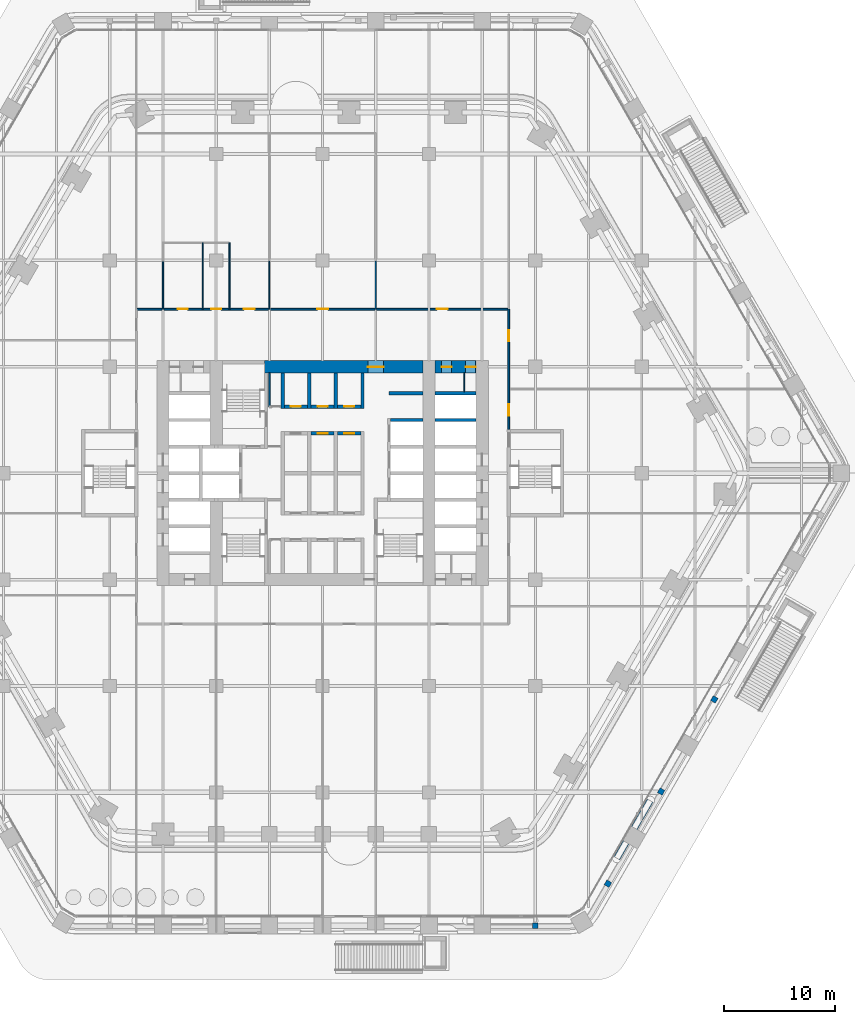
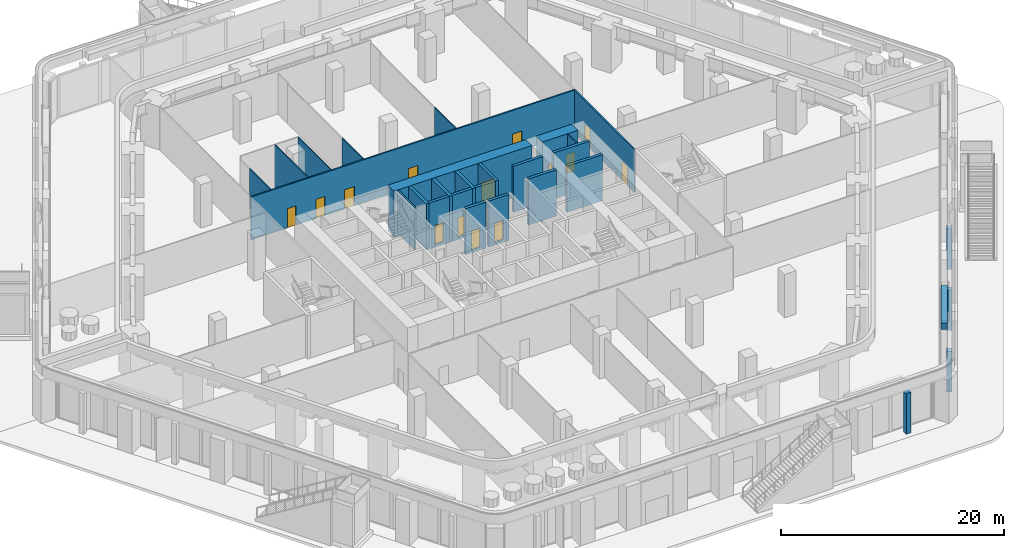
# One storey, part 22 of 34: 29 walls, 15 doors, 15 openings.
"""IFC4 building model written with IfcOpenShell, lengths in metres."""

from ifc_helpers import new_model, si_unit, direction, frame, frame_2d, origin, place, context, subcontext, project, spatial, rectangle, extrude, material, layer, layer_set, type_object, element, fill, save


model = new_model("IFC4")

# Units and contexts
model_context = context("Model", 3, precision=1e-05, world=origin(), true_north=direction((0.0, 1.0)))
body_context = subcontext(model_context, "Body", "Model", "MODEL_VIEW")
ifc_project = project(units=[si_unit("LENGTHUNIT", "METRE"), si_unit("AREAUNIT", "SQUARE_METRE"), si_unit("VOLUMEUNIT", "CUBIC_METRE"), si_unit("PLANEANGLEUNIT", "RADIAN"), si_unit("MASSUNIT", "GRAM", prefix="KILO")], contexts=[model_context])

# Site, building, storey
site_placement = place(None, origin())
site = spatial("IfcSite", under=ifc_project, at=site_placement, CompositionType="ELEMENT")
building_placement = place(site_placement, origin())
building = spatial("IfcBuilding", under=site, at=building_placement, Name="Kolab Exchange Tower", CompositionType="ELEMENT")
storey_placement = place(building_placement, frame((0.0, 0.0, 12.39990234375)))
storey = spatial("IfcBuildingStorey", under=building, at=storey_placement, Name="L02", CompositionType="ELEMENT", Elevation=12.39990234375)

# Wall, opening, door
ifc_material_1 = material(Name="Concrete C80/95", Category="concrete")
ifc_layer_1 = layer(ifc_material_1, 1.10009765625)
ifc_layer_set_1 = layer_set([ifc_layer_1], Name="Concrete C80/95")
wall_type_1 = type_object("IfcWallType", Name="CORE WALL 1100 C80/95", PredefinedType="SHEAR", material=ifc_layer_set_1)
wall_1_placement = place(storey_placement, frame((-5.25, 9.60009765625, -0.2998046875), z_axis=(0.0, 0.0, 1.0), x_axis=(1.0, 0.0, 0.0)))
wall_1 = element("IfcWall", 1, at=wall_1_placement, inside=storey, type_object=wall_type_1, Name="wall/L02/core/052", PredefinedType="SHEAR", context=body_context, shape_type="SweptSolid", body=[
    extrude(rectangle(XDim=14.300048828125, YDim=1.10009765625, at=frame_2d((7.14990234375, 0.0))), origin(), (0.0, 0.0, 1.0), 5.0498046875),
])
opening_1_placement = place(wall_1_placement, frame((9.35009765625, 0.0, 0.300048828125)))
opening_1 = element("IfcOpeningElement", 2, at=opening_1_placement, cuts=wall_1, Name="Opening D5-003", PredefinedType="OPENING", context=body_context, shape_type="SweptSolid", body=[
    extrude(rectangle(XDim=1.39990234375, YDim=2.10009765625, at=frame_2d((0.699951171875, 1.050048828125))), frame((0.0, 0.56005859375, 0.0), z_axis=(0.0, -1.0, 0.0), x_axis=(1.0, 0.0, 0.0)), (0.0, 0.0, 1.0), 1.1201171875),
])
ifc_material_2 = material(Name="Steel S235", Category="steel")
door_type_1 = type_object("IfcDoorType", Name="CORE DOOR 1400 EI 120", OperationType="DOUBLE_DOOR_SINGLE_SWING", PredefinedType="DOOR", material=ifc_material_2)
door_1_placement = place(opening_1_placement, frame((1.39990234375, 0.0, 0.0), z_axis=(0.0, 0.0, 1.0), x_axis=(-1.0, 0.0, 0.0)))
door_1 = element("IfcDoor", 3, at=door_1_placement, inside=storey, type_object=door_type_1, Name="Core lobby door", OperationType="SINGLE_SWING_LEFT", OverallHeight=2.10009765625, OverallWidth=1.39990234375, PredefinedType="DOOR", context=body_context, shape_type="SweptSolid", body=[
    extrude(rectangle(XDim=1.39990234375, YDim=2.10009765625, at=frame_2d((0.699951171875, 1.050048828125))), frame((0.0, 0.02490234375, 0.0), z_axis=(0.0, -1.0, 0.0), x_axis=(1.0, 0.0, 0.0)), (0.0, 0.0, 1.0), 0.050048828125),
])
fill(opening_1, door_1)

# Wall, openings, doors
wall_2_placement = place(storey_placement, frame((10.14990234375, 9.60009765625, -0.2998046875), z_axis=(0.0, 0.0, 1.0), x_axis=(1.0, 0.0, 0.0)))
wall_2 = element("IfcWall", 4, at=wall_2_placement, inside=storey, type_object=wall_type_1, Name="wall/L02/core/053", PredefinedType="SHEAR", context=body_context, shape_type="SweptSolid", body=[
    extrude(rectangle(XDim=3.7001953125, YDim=1.10009765625, at=frame_2d((1.85009765625, 0.0))), origin(), (0.0, 0.0, 1.0), 5.0498046875),
])
opening_2_placement = place(wall_2_placement, frame((0.60009765625, 0.0, 0.300048828125)))
opening_2 = element("IfcOpeningElement", 5, at=opening_2_placement, cuts=wall_2, Name="Opening D6-062", PredefinedType="OPENING", context=body_context, shape_type="SweptSolid", body=[
    extrude(rectangle(XDim=0.89990234375, YDim=2.10009765625, at=frame_2d((0.449951171875, 1.050048828125))), frame((0.0, 0.56005859375, 0.0), z_axis=(0.0, -1.0, 0.0), x_axis=(1.0, 0.0, 0.0)), (0.0, 0.0, 1.0), 1.1201171875),
])
opening_3_placement = place(wall_2_placement, frame((2.75, 0.0, 0.300048828125)))
opening_3 = element("IfcOpeningElement", 6, at=opening_3_placement, cuts=wall_2, Name="Opening D6-063", PredefinedType="OPENING", context=body_context, shape_type="SweptSolid", body=[
    extrude(rectangle(XDim=0.89990234375, YDim=2.10009765625, at=frame_2d((0.449951171875, 1.050048828125))), frame((0.0, 0.56005859375, 0.0), z_axis=(0.0, -1.0, 0.0), x_axis=(1.0, 0.0, 0.0)), (0.0, 0.0, 1.0), 1.1201171875),
])
door_type_2 = type_object("IfcDoorType", Name="CORE DOOR 900 EI 120", OperationType="SINGLE_SWING_LEFT", PredefinedType="DOOR", material=ifc_material_2)
door_2_placement = place(opening_2_placement, frame((0.89990234375, 0.0, 0.0), z_axis=(0.0, 0.0, 1.0), x_axis=(-1.0, 0.0, 0.0)))
door_2 = element("IfcDoor", 7, at=door_2_placement, inside=storey, type_object=door_type_2, Name="Service room door", OperationType="SINGLE_SWING_RIGHT", OverallHeight=2.10009765625, OverallWidth=0.89990234375, PredefinedType="DOOR", context=body_context, shape_type="SweptSolid", body=[
    extrude(rectangle(XDim=0.89990234375, YDim=2.10009765625, at=frame_2d((0.449951171875, 1.050048828125))), frame((0.0, 0.02490234375, 0.0), z_axis=(0.0, -1.0, 0.0), x_axis=(1.0, 0.0, 0.0)), (0.0, 0.0, 1.0), 0.050048828125),
])
fill(opening_2, door_2)
door_3_placement = place(opening_3_placement, frame((0.89990234375, 0.0, 0.0), z_axis=(0.0, 0.0, 1.0), x_axis=(-1.0, 0.0, 0.0)))
door_3 = element("IfcDoor", 8, at=door_3_placement, inside=storey, type_object=door_type_2, Name="Service room door", OperationType="SINGLE_SWING_LEFT", OverallHeight=2.10009765625, OverallWidth=0.89990234375, PredefinedType="DOOR", context=body_context, shape_type="SweptSolid", body=[
    extrude(rectangle(XDim=0.89990234375, YDim=2.10009765625, at=frame_2d((0.449951171875, 1.050048828125))), frame((0.0, 0.02490234375, 0.0), z_axis=(0.0, -1.0, 0.0), x_axis=(1.0, 0.0, 0.0)), (0.0, 0.0, 1.0), 0.050048828125),
])
fill(opening_3, door_3)

# Wall, opening, door
ifc_material_3 = material(Name="Concrete C50/60", Category="concrete")
ifc_layer_2 = layer(ifc_material_3, 0.300048828125)
ifc_layer_set_2 = layer_set([ifc_layer_2], Name="Concrete C50/60")
wall_type_2 = type_object("IfcWallType", Name="LIFT SHAFT WALL 300 C50/60", PredefinedType="STANDARD", material=ifc_layer_set_2)
wall_3_placement = place(storey_placement, frame((-1.050048828125, 3.60009765625, -0.2998046875), z_axis=(0.0, 0.0, 1.0), x_axis=(1.0, 0.0, 0.0)))
wall_3 = element("IfcWall", 9, at=wall_3_placement, inside=storey, type_object=wall_type_2, Name="wall/L02/core/038", PredefinedType="STANDARD", context=body_context, shape_type="SweptSolid", body=[
    extrude(rectangle(XDim=2.10009765625, YDim=0.300048828125, at=frame_2d((1.050048828125, 0.0))), origin(), (0.0, 0.0, 1.0), 5.0498046875),
])
opening_4_placement = place(wall_3_placement, frame((0.60009765625, 0.0, 0.300048828125)))
opening_4 = element("IfcOpeningElement", 10, at=opening_4_placement, cuts=wall_3, Name="Opening D6-047", PredefinedType="OPENING", context=body_context, shape_type="SweptSolid", body=[
    extrude(rectangle(XDim=0.89990234375, YDim=2.10009765625, at=frame_2d((0.449951171875, 1.050048828125))), frame((0.0, 0.16015625, 0.0), z_axis=(0.0, -1.0, 0.0), x_axis=(1.0, 0.0, 0.0)), (0.0, 0.0, 1.0), 0.320068359375),
])
door_4_placement = place(opening_4_placement, frame((0.89990234375, 0.0, 0.0), z_axis=(0.0, 0.0, 1.0), x_axis=(-1.0, 0.0, 0.0)))
door_4 = element("IfcDoor", 11, at=door_4_placement, inside=storey, type_object=door_type_2, Name="Service room door", OperationType="SINGLE_SWING_RIGHT", OverallHeight=2.10009765625, OverallWidth=0.89990234375, PredefinedType="DOOR", context=body_context, shape_type="SweptSolid", body=[
    extrude(rectangle(XDim=0.89990234375, YDim=2.10009765625, at=frame_2d((0.449951171875, 1.050048828125))), frame((0.0, 0.02490234375, 0.0), z_axis=(0.0, -1.0, 0.0), x_axis=(1.0, 0.0, 0.0)), (0.0, 0.0, 1.0), 0.050048828125),
])
fill(opening_4, door_4)

wall_4_placement = place(storey_placement, frame((1.35009765625, 3.60009765625, -0.2998046875), z_axis=(0.0, 0.0, 1.0), x_axis=(1.0, 0.0, 0.0)))
wall_4 = element("IfcWall", 12, at=wall_4_placement, inside=storey, type_object=wall_type_2, Name="wall/L02/core/039", PredefinedType="STANDARD", context=body_context, shape_type="SweptSolid", body=[
    extrude(rectangle(XDim=2.099853515625, YDim=0.300048828125, at=frame_2d((1.0498046875, 0.0))), origin(), (0.0, 0.0, 1.0), 5.0498046875),
])
opening_5_placement = place(wall_4_placement, frame((0.60009765625, 0.0, 0.300048828125)))
opening_5 = element("IfcOpeningElement", 13, at=opening_5_placement, cuts=wall_4, Name="Opening D6-046", PredefinedType="OPENING", context=body_context, shape_type="SweptSolid", body=[
    extrude(rectangle(XDim=0.89990234375, YDim=2.10009765625, at=frame_2d((0.449951171875, 1.050048828125))), frame((0.0, 0.16015625, 0.0), z_axis=(0.0, -1.0, 0.0), x_axis=(1.0, 0.0, 0.0)), (0.0, 0.0, 1.0), 0.320068359375),
])
door_5_placement = place(opening_5_placement, frame((0.89990234375, 0.0, 0.0), z_axis=(0.0, 0.0, 1.0), x_axis=(-1.0, 0.0, 0.0)))
door_5 = element("IfcDoor", 14, at=door_5_placement, inside=storey, type_object=door_type_2, Name="Service room door", OperationType="SINGLE_SWING_RIGHT", OverallHeight=2.10009765625, OverallWidth=0.89990234375, PredefinedType="DOOR", context=body_context, shape_type="SweptSolid", body=[
    extrude(rectangle(XDim=0.89990234375, YDim=2.10009765625, at=frame_2d((0.449951171875, 1.050048828125))), frame((0.0, 0.02490234375, 0.0), z_axis=(0.0, -1.0, 0.0), x_axis=(1.0, 0.0, 0.0)), (0.0, 0.0, 1.0), 0.050048828125),
])
fill(opening_5, door_5)

# Walls
wall_5_placement = place(storey_placement, frame((6.14990234375, 4.800048828125, -0.2998046875), z_axis=(0.0, 0.0, 1.0), x_axis=(1.0, 0.0, 0.0)))
element("IfcWall", 15, at=wall_5_placement, inside=storey, type_object=wall_type_2, Name="wall/L02/core/043", PredefinedType="STANDARD", context=body_context, shape_type="SweptSolid", body=[
    extrude(rectangle(XDim=2.900146484375, YDim=0.300048828125, at=frame_2d((1.4501953125, 0.0))), origin(), (0.0, 0.0, 1.0), 5.0498046875),
])
wall_6_placement = place(storey_placement, frame((10.14990234375, 4.800048828125, -0.2998046875), z_axis=(0.0, 0.0, 1.0), x_axis=(1.0, 0.0, 0.0)))
element("IfcWall", 16, at=wall_6_placement, inside=storey, type_object=wall_type_2, Name="wall/L02/core/044", PredefinedType="STANDARD", context=body_context, shape_type="SweptSolid", body=[
    extrude(rectangle(XDim=3.7001953125, YDim=0.300048828125, at=frame_2d((1.85009765625, 0.0))), origin(), (0.0, 0.0, 1.0), 5.0498046875),
])

# Wall, opening, door
wall_7_placement = place(storey_placement, frame((-3.449951171875, 6.0, -0.2998046875), z_axis=(0.0, 0.0, 1.0), x_axis=(1.0, 0.0, 0.0)))
wall_7 = element("IfcWall", 17, at=wall_7_placement, inside=storey, type_object=wall_type_2, Name="wall/L02/core/045", PredefinedType="STANDARD", context=body_context, shape_type="SweptSolid", body=[
    extrude(rectangle(XDim=2.099853515625, YDim=0.300048828125, at=frame_2d((1.0498046875, 0.0))), origin(), (0.0, 0.0, 1.0), 5.0498046875),
])
opening_6_placement = place(wall_7_placement, frame((0.60009765625, 0.0, 0.300048828125)))
opening_6 = element("IfcOpeningElement", 18, at=opening_6_placement, cuts=wall_7, Name="Opening D6-045", PredefinedType="OPENING", context=body_context, shape_type="SweptSolid", body=[
    extrude(rectangle(XDim=0.89990234375, YDim=2.10009765625, at=frame_2d((0.449951171875, 1.050048828125))), frame((0.0, 0.16015625, 0.0), z_axis=(0.0, -1.0, 0.0), x_axis=(1.0, 0.0, 0.0)), (0.0, 0.0, 1.0), 0.320068359375),
])
door_6_placement = place(opening_6_placement, origin())
door_6 = element("IfcDoor", 19, at=door_6_placement, inside=storey, type_object=door_type_2, Name="Service room door", OperationType="SINGLE_SWING_LEFT", OverallHeight=2.10009765625, OverallWidth=0.89990234375, PredefinedType="DOOR", context=body_context, shape_type="SweptSolid", body=[
    extrude(rectangle(XDim=0.89990234375, YDim=2.10009765625, at=frame_2d((0.449951171875, 1.050048828125))), frame((0.0, 0.02490234375, 0.0), z_axis=(0.0, -1.0, 0.0), x_axis=(1.0, 0.0, 0.0)), (0.0, 0.0, 1.0), 0.050048828125),
])
fill(opening_6, door_6)

wall_8_placement = place(storey_placement, frame((-1.050048828125, 6.0, -0.2998046875), z_axis=(0.0, 0.0, 1.0), x_axis=(1.0, 0.0, 0.0)))
wall_8 = element("IfcWall", 20, at=wall_8_placement, inside=storey, type_object=wall_type_2, Name="wall/L02/core/046", PredefinedType="STANDARD", context=body_context, shape_type="SweptSolid", body=[
    extrude(rectangle(XDim=2.10009765625, YDim=0.300048828125, at=frame_2d((1.050048828125, 0.0))), origin(), (0.0, 0.0, 1.0), 5.0498046875),
])
opening_7_placement = place(wall_8_placement, frame((0.60009765625, 0.0, 0.300048828125)))
opening_7 = element("IfcOpeningElement", 21, at=opening_7_placement, cuts=wall_8, Name="Opening D6-044", PredefinedType="OPENING", context=body_context, shape_type="SweptSolid", body=[
    extrude(rectangle(XDim=0.89990234375, YDim=2.10009765625, at=frame_2d((0.449951171875, 1.050048828125))), frame((0.0, 0.16015625, 0.0), z_axis=(0.0, -1.0, 0.0), x_axis=(1.0, 0.0, 0.0)), (0.0, 0.0, 1.0), 0.320068359375),
])
door_7_placement = place(opening_7_placement, origin())
door_7 = element("IfcDoor", 22, at=door_7_placement, inside=storey, type_object=door_type_2, Name="Service room door", OperationType="SINGLE_SWING_LEFT", OverallHeight=2.10009765625, OverallWidth=0.89990234375, PredefinedType="DOOR", context=body_context, shape_type="SweptSolid", body=[
    extrude(rectangle(XDim=0.89990234375, YDim=2.10009765625, at=frame_2d((0.449951171875, 1.050048828125))), frame((0.0, 0.02490234375, 0.0), z_axis=(0.0, -1.0, 0.0), x_axis=(1.0, 0.0, 0.0)), (0.0, 0.0, 1.0), 0.050048828125),
])
fill(opening_7, door_7)

wall_9_placement = place(storey_placement, frame((1.35009765625, 6.0, -0.2998046875), z_axis=(0.0, 0.0, 1.0), x_axis=(1.0, 0.0, 0.0)))
wall_9 = element("IfcWall", 23, at=wall_9_placement, inside=storey, type_object=wall_type_2, Name="wall/L02/core/047", PredefinedType="STANDARD", context=body_context, shape_type="SweptSolid", body=[
    extrude(rectangle(XDim=2.099853515625, YDim=0.300048828125, at=frame_2d((1.0498046875, 0.0))), origin(), (0.0, 0.0, 1.0), 5.0498046875),
])
opening_8_placement = place(wall_9_placement, frame((0.60009765625, 0.0, 0.300048828125)))
opening_8 = element("IfcOpeningElement", 24, at=opening_8_placement, cuts=wall_9, Name="Opening D6-043", PredefinedType="OPENING", context=body_context, shape_type="SweptSolid", body=[
    extrude(rectangle(XDim=0.89990234375, YDim=2.10009765625, at=frame_2d((0.449951171875, 1.050048828125))), frame((0.0, 0.16015625, 0.0), z_axis=(0.0, -1.0, 0.0), x_axis=(1.0, 0.0, 0.0)), (0.0, 0.0, 1.0), 0.320068359375),
])
door_8_placement = place(opening_8_placement, origin())
door_8 = element("IfcDoor", 25, at=door_8_placement, inside=storey, type_object=door_type_2, Name="Service room door", OperationType="SINGLE_SWING_RIGHT", OverallHeight=2.10009765625, OverallWidth=0.89990234375, PredefinedType="DOOR", context=body_context, shape_type="SweptSolid", body=[
    extrude(rectangle(XDim=0.89990234375, YDim=2.10009765625, at=frame_2d((0.449951171875, 1.050048828125))), frame((0.0, 0.02490234375, 0.0), z_axis=(0.0, -1.0, 0.0), x_axis=(1.0, 0.0, 0.0)), (0.0, 0.0, 1.0), 0.050048828125),
])
fill(opening_8, door_8)

# Walls
wall_10_placement = place(storey_placement, frame((6.0, 7.199951171875, -0.2998046875), z_axis=(0.0, 0.0, 1.0), x_axis=(1.0, 0.0, 0.0)))
element("IfcWall", 26, at=wall_10_placement, inside=storey, type_object=wall_type_2, Name="wall/L02/core/049", PredefinedType="STANDARD", context=body_context, shape_type="SweptSolid", body=[
    extrude(rectangle(XDim=3.050048828125, YDim=0.300048828125, at=frame_2d((1.52490234375, 0.0))), origin(), (0.0, 0.0, 1.0), 5.0498046875),
])
wall_11_placement = place(storey_placement, frame((10.14990234375, 7.199951171875, -0.2998046875), z_axis=(0.0, 0.0, 1.0), x_axis=(1.0, 0.0, 0.0)))
element("IfcWall", 27, at=wall_11_placement, inside=storey, type_object=wall_type_2, Name="wall/L02/core/050", PredefinedType="STANDARD", context=body_context, shape_type="SweptSolid", body=[
    extrude(rectangle(XDim=3.7001953125, YDim=0.300048828125, at=frame_2d((1.85009765625, 0.0))), origin(), (0.0, 0.0, 1.0), 5.0498046875),
])
for number, where, z_axis, x_axis, name in (
    (28, (-3.60009765625, 5.85009765625, -0.2998046875), (0.0, 0.0, 1.0), (0.0, 1.0, 0.0), "wall/L02/core/068"),
    (29, (-1.199951171875, 5.85009765625, -0.2998046875), (0.0, 0.0, 1.0), (0.0, 1.0, 0.0), "wall/L02/core/071"),
    (30, (1.199951171875, 5.85009765625, -0.2998046875), (0.0, 0.0, 1.0), (0.0, 1.0, 0.0), "wall/L02/core/074"),
    (31, (3.60009765625, 5.85009765625, -0.2998046875), (0.0, 0.0, 1.0), (0.0, 1.0, 0.0), "wall/L02/core/077"),
):
    element("IfcWall", number, at=place(storey_placement, frame(where, z_axis=z_axis, x_axis=x_axis)), inside=storey, type_object=wall_type_2, Name=name, PredefinedType="STANDARD", context=body_context, shape_type="SweptSolid", body=[
        extrude(rectangle(XDim=3.199951171875, YDim=0.300048828125, at=frame_2d((1.60009765625, 0.0))), origin(), (0.0, 0.0, 1.0), 5.0498046875),
    ])
ifc_material_4 = material(Name="Gypsum board", Category="gypsum")
ifc_layer_3 = layer(ifc_material_4, 0.10009765625)
ifc_layer_set_3 = layer_set([ifc_layer_3], Name="Gypsum board")
wall_type_3 = type_object("IfcWallType", Name="PARTITION 100", PredefinedType="PARTITIONING", material=ifc_layer_set_3)
wall_12_placement = place(storey_placement, frame((12.800048828125, 7.35009765625, 0.0), z_axis=(0.0, 0.0, 1.0), x_axis=(0.0, 1.0, 0.0)))
element("IfcWall", 32, at=wall_12_placement, inside=storey, type_object=wall_type_3, Name="Partition 003", PredefinedType="PARTITIONING", context=body_context, shape_type="SweptSolid", body=[
    extrude(rectangle(XDim=1.699951171875, YDim=0.10009765625, at=frame_2d((0.85009765625, 0.0))), origin(), (0.0, 0.0, 1.0), 4.7001953125),
])
for number, where, z_axis, x_axis, name in (
    (33, (4.800048828125, 14.800048828125, 0.0), (0.0, 0.0, 1.0), (0.0, 1.0, 0.0), "Partition 006"),
    (34, (-4.800048828125, 14.800048828125, 0.0), (0.0, 0.0, 1.0), (0.0, 1.0, 0.0), "Partition 008"),
):
    element("IfcWall", number, at=place(storey_placement, frame(where, z_axis=z_axis, x_axis=x_axis)), inside=storey, type_object=wall_type_3, Name=name, PredefinedType="PARTITIONING", context=body_context, shape_type="SweptSolid", body=[
        extrude(rectangle(XDim=4.325927734375, YDim=0.10009765625, at=frame_2d((2.1630859375, 0.0))), origin(), (0.0, 0.0, 1.0), 4.343017578125),
    ])
for number, where, z_axis, x_axis, name in (
    (35, (-8.39990234375, 14.800048828125, 0.0), (0.0, 0.0, 1.0), (0.0, 1.0, 0.0), "Partition 011"),
    (36, (-10.800048828125, 14.800048828125, 0.0), (0.0, 0.0, 1.0), (0.0, 1.0, 0.0), "Partition 013"),
):
    element("IfcWall", number, at=place(storey_placement, frame(where, z_axis=z_axis, x_axis=x_axis)), inside=storey, type_object=wall_type_3, Name=name, PredefinedType="PARTITIONING", context=body_context, shape_type="SweptSolid", body=[
        extrude(rectangle(XDim=6.0, YDim=0.10009765625, at=frame_2d((3.0, 0.0))), origin(), (0.0, 0.0, 1.0), 4.7001953125),
    ])
wall_13_placement = place(storey_placement, frame((-14.39990234375, 14.800048828125, 0.0), z_axis=(0.0, 0.0, 1.0), x_axis=(0.0, 1.0, 0.0)))
element("IfcWall", 37, at=wall_13_placement, inside=storey, type_object=wall_type_3, Name="Partition 015", PredefinedType="PARTITIONING", context=body_context, shape_type="SweptSolid", body=[
    extrude(rectangle(XDim=4.325927734375, YDim=0.10009765625, at=frame_2d((2.1630859375, 0.0))), origin(), (0.0, 0.0, 1.0), 4.343017578125),
])

# Wall, openings, doors
ifc_layer_4 = layer(ifc_material_4, 0.14990234375)
ifc_layer_set_4 = layer_set([ifc_layer_4], Name="Gypsum board")
wall_type_4 = type_object("IfcWallType", Name="PARTITION 150 FIRE-RATED", PredefinedType="PARTITIONING", material=ifc_layer_set_4)
wall_14_placement = place(storey_placement, frame((16.800048828125, 3.949951171875, 0.0), z_axis=(0.0, 0.0, 1.0), x_axis=(0.0, 1.0, 0.0)))
wall_14 = element("IfcWall", 38, at=wall_14_placement, inside=storey, type_object=wall_type_4, Name="Partition 002", PredefinedType="PARTITIONING", context=body_context, shape_type="SweptSolid", body=[
    extrude(rectangle(XDim=10.85009765625, YDim=0.14990234375, at=frame_2d((5.425048828125, 0.0))), origin(), (0.0, 0.0, 1.0), 4.7001953125),
])
opening_9_placement = place(wall_14_placement, frame((1.25, 0.0, 0.0)))
opening_9 = element("IfcOpeningElement", 39, at=opening_9_placement, cuts=wall_14, Name="Opening D1-036", PredefinedType="OPENING", context=body_context, shape_type="SweptSolid", body=[
    extrude(rectangle(XDim=1.0, YDim=2.10009765625, at=frame_2d((0.5, 1.050048828125))), frame((0.0, 0.0849609375, 0.0), z_axis=(0.0, -1.0, 0.0), x_axis=(1.0, 0.0, 0.0)), (0.0, 0.0, 1.0), 0.169921875),
])
opening_10_placement = place(wall_14_placement, frame((7.949951171875, 0.0, 0.0)))
opening_10 = element("IfcOpeningElement", 40, at=opening_10_placement, cuts=wall_14, Name="Opening D1-037", PredefinedType="OPENING", context=body_context, shape_type="SweptSolid", body=[
    extrude(rectangle(XDim=1.0, YDim=2.10009765625, at=frame_2d((0.5, 1.050048828125))), frame((0.0, 0.0849609375, 0.0), z_axis=(0.0, -1.0, 0.0), x_axis=(1.0, 0.0, 0.0)), (0.0, 0.0, 1.0), 0.169921875),
])
door_type_3 = type_object("IfcDoorType", Name="FLUSH DOOR 1000 FD60", OperationType="SINGLE_SWING_LEFT", PredefinedType="DOOR", material=ifc_material_2)
door_9_placement = place(opening_9_placement, frame((1.0, 0.0, 0.0), z_axis=(0.0, 0.0, 1.0), x_axis=(-1.0, 0.0, 0.0)))
door_9 = element("IfcDoor", 41, at=door_9_placement, inside=storey, type_object=door_type_3, Name="Door L02-057", OperationType="SINGLE_SWING_RIGHT", OverallHeight=2.10009765625, OverallWidth=1.0, PredefinedType="DOOR", context=body_context, shape_type="SweptSolid", body=[
    extrude(rectangle(XDim=1.0, YDim=2.10009765625, at=frame_2d((0.5, 1.050048828125))), frame((0.0, 0.02490234375, 0.0), z_axis=(0.0, -1.0, 0.0), x_axis=(1.0, 0.0, 0.0)), (0.0, 0.0, 1.0), 0.050048828125),
])
fill(opening_9, door_9)
door_10_placement = place(opening_10_placement, frame((1.0, 0.0, 0.0), z_axis=(0.0, 0.0, 1.0), x_axis=(-1.0, 0.0, 0.0)))
door_10 = element("IfcDoor", 42, at=door_10_placement, inside=storey, type_object=door_type_3, Name="Door L02-058", OperationType="SINGLE_SWING_LEFT", OverallHeight=2.10009765625, OverallWidth=1.0, PredefinedType="DOOR", context=body_context, shape_type="SweptSolid", body=[
    extrude(rectangle(XDim=1.0, YDim=2.10009765625, at=frame_2d((0.5, 1.050048828125))), frame((0.0, 0.02490234375, 0.0), z_axis=(0.0, -1.0, 0.0), x_axis=(1.0, 0.0, 0.0)), (0.0, 0.0, 1.0), 0.050048828125),
])
fill(opening_10, door_10)

# Wall
wall_15_placement = place(storey_placement, frame((-4.800048828125, 6.0, 0.0), z_axis=(0.0, 0.0, 1.0), x_axis=(0.0, 1.0, 0.0)))
element("IfcWall", 43, at=wall_15_placement, inside=storey, type_object=wall_type_4, Name="Partition 010", PredefinedType="PARTITIONING", context=body_context, shape_type="SweptSolid", body=[
    extrude(rectangle(XDim=3.050048828125, YDim=0.14990234375, at=frame_2d((1.52490234375, 0.0))), origin(), (0.0, 0.0, 1.0), 4.7001953125),
])

# Wall, openings, doors
wall_16_placement = place(storey_placement, frame((-16.800048828125, 14.800048828125, 0.0), z_axis=(0.0, 0.0, 1.0), x_axis=(1.0, 0.0, 0.0)))
wall_16 = element("IfcWall", 44, at=wall_16_placement, inside=storey, type_object=wall_type_4, Name="Partition 029", PredefinedType="PARTITIONING", context=body_context, shape_type="SweptSolid", body=[
    extrude(rectangle(XDim=33.60009765625, YDim=0.14990234375, at=frame_2d((16.800048828125, 0.0))), origin(), (0.0, 0.0, 1.0), 4.7001953125),
])
opening_11_placement = place(wall_16_placement, frame((3.75, 0.0, 0.0)))
opening_11 = element("IfcOpeningElement", 45, at=opening_11_placement, cuts=wall_16, Name="Opening D3-005", PredefinedType="OPENING", context=body_context, shape_type="SweptSolid", body=[
    extrude(rectangle(XDim=0.89990234375, YDim=2.10009765625, at=frame_2d((0.449951171875, 1.050048828125))), frame((0.0, 0.0849609375, 0.0), z_axis=(0.0, -1.0, 0.0), x_axis=(1.0, 0.0, 0.0)), (0.0, 0.0, 1.0), 0.169921875),
])
opening_12_placement = place(wall_16_placement, frame((6.75, 0.0, 0.0)))
opening_12 = element("IfcOpeningElement", 46, at=opening_12_placement, cuts=wall_16, Name="Opening D3-006", PredefinedType="OPENING", context=body_context, shape_type="SweptSolid", body=[
    extrude(rectangle(XDim=0.89990234375, YDim=2.10009765625, at=frame_2d((0.449951171875, 1.050048828125))), frame((0.0, 0.0849609375, 0.0), z_axis=(0.0, -1.0, 0.0), x_axis=(1.0, 0.0, 0.0)), (0.0, 0.0, 1.0), 0.169921875),
])
opening_13_placement = place(wall_16_placement, frame((9.699951171875, 0.0, 0.0)))
opening_13 = element("IfcOpeningElement", 47, at=opening_13_placement, cuts=wall_16, Name="Opening D1-029", PredefinedType="OPENING", context=body_context, shape_type="SweptSolid", body=[
    extrude(rectangle(XDim=1.0, YDim=2.10009765625, at=frame_2d((0.5, 1.050048828125))), frame((0.0, 0.0849609375, 0.0), z_axis=(0.0, -1.0, 0.0), x_axis=(1.0, 0.0, 0.0)), (0.0, 0.0, 1.0), 0.169921875),
])
opening_14_placement = place(wall_16_placement, frame((16.300048828125, 0.0, 0.0)))
opening_14 = element("IfcOpeningElement", 48, at=opening_14_placement, cuts=wall_16, Name="Opening D1-030", PredefinedType="OPENING", context=body_context, shape_type="SweptSolid", body=[
    extrude(rectangle(XDim=1.0, YDim=2.10009765625, at=frame_2d((0.5, 1.050048828125))), frame((0.0, 0.0849609375, 0.0), z_axis=(0.0, -1.0, 0.0), x_axis=(1.0, 0.0, 0.0)), (0.0, 0.0, 1.0), 0.169921875),
])
opening_15_placement = place(wall_16_placement, frame((27.10009765625, 0.0, 0.0)))
opening_15 = element("IfcOpeningElement", 49, at=opening_15_placement, cuts=wall_16, Name="Opening D1-031", PredefinedType="OPENING", context=body_context, shape_type="SweptSolid", body=[
    extrude(rectangle(XDim=1.0, YDim=2.10009765625, at=frame_2d((0.5, 1.050048828125))), frame((0.0, 0.0849609375, 0.0), z_axis=(0.0, -1.0, 0.0), x_axis=(1.0, 0.0, 0.0)), (0.0, 0.0, 1.0), 0.169921875),
])
door_11_placement = place(opening_13_placement, origin())
door_11 = element("IfcDoor", 50, at=door_11_placement, inside=storey, type_object=door_type_3, Name="Door L02-050", OperationType="SINGLE_SWING_LEFT", OverallHeight=2.10009765625, OverallWidth=1.0, PredefinedType="DOOR", context=body_context, shape_type="SweptSolid", body=[
    extrude(rectangle(XDim=1.0, YDim=2.10009765625, at=frame_2d((0.5, 1.050048828125))), frame((0.0, 0.02490234375, 0.0), z_axis=(0.0, -1.0, 0.0), x_axis=(1.0, 0.0, 0.0)), (0.0, 0.0, 1.0), 0.050048828125),
])
fill(opening_13, door_11)
door_12_placement = place(opening_14_placement, origin())
door_12 = element("IfcDoor", 51, at=door_12_placement, inside=storey, type_object=door_type_3, Name="Door L02-051", OperationType="SINGLE_SWING_LEFT", OverallHeight=2.10009765625, OverallWidth=1.0, PredefinedType="DOOR", context=body_context, shape_type="SweptSolid", body=[
    extrude(rectangle(XDim=1.0, YDim=2.10009765625, at=frame_2d((0.5, 1.050048828125))), frame((0.0, 0.02490234375, 0.0), z_axis=(0.0, -1.0, 0.0), x_axis=(1.0, 0.0, 0.0)), (0.0, 0.0, 1.0), 0.050048828125),
])
fill(opening_14, door_12)
door_13_placement = place(opening_15_placement, origin())
door_13 = element("IfcDoor", 52, at=door_13_placement, inside=storey, type_object=door_type_3, Name="Door L02-052", OperationType="SINGLE_SWING_RIGHT", OverallHeight=2.10009765625, OverallWidth=1.0, PredefinedType="DOOR", context=body_context, shape_type="SweptSolid", body=[
    extrude(rectangle(XDim=1.0, YDim=2.10009765625, at=frame_2d((0.5, 1.050048828125))), frame((0.0, 0.02490234375, 0.0), z_axis=(0.0, -1.0, 0.0), x_axis=(1.0, 0.0, 0.0)), (0.0, 0.0, 1.0), 0.050048828125),
])
fill(opening_15, door_13)
door_type_4 = type_object("IfcDoorType", Name="FLUSH DOOR 900 FD60", OperationType="SINGLE_SWING_LEFT", PredefinedType="DOOR", material=ifc_material_2)
door_14_placement = place(opening_11_placement, origin())
door_14 = element("IfcDoor", 53, at=door_14_placement, inside=storey, type_object=door_type_4, Name="Door L02-048", OperationType="SINGLE_SWING_LEFT", OverallHeight=2.10009765625, OverallWidth=0.89990234375, PredefinedType="DOOR", context=body_context, shape_type="SweptSolid", body=[
    extrude(rectangle(XDim=0.89990234375, YDim=2.10009765625, at=frame_2d((0.449951171875, 1.050048828125))), frame((0.0, 0.02490234375, 0.0), z_axis=(0.0, -1.0, 0.0), x_axis=(1.0, 0.0, 0.0)), (0.0, 0.0, 1.0), 0.050048828125),
])
fill(opening_11, door_14)
door_15_placement = place(opening_12_placement, origin())
door_15 = element("IfcDoor", 54, at=door_15_placement, inside=storey, type_object=door_type_4, Name="Door L02-049", OperationType="SINGLE_SWING_LEFT", OverallHeight=2.10009765625, OverallWidth=0.89990234375, PredefinedType="DOOR", context=body_context, shape_type="SweptSolid", body=[
    extrude(rectangle(XDim=0.89990234375, YDim=2.10009765625, at=frame_2d((0.449951171875, 1.050048828125))), frame((0.0, 0.02490234375, 0.0), z_axis=(0.0, -1.0, 0.0), x_axis=(1.0, 0.0, 0.0)), (0.0, 0.0, 1.0), 0.050048828125),
])
fill(opening_12, door_15)

# Walls
ifc_material_5 = material(Name="Granite facing", Category="masonry")
ifc_layer_5 = layer(ifc_material_5, 0.0400390625)
ifc_material_6 = material(Name="Concrete C40/50 precast", Category="concrete")
ifc_layer_6 = layer(ifc_material_6, 0.56005859375)
ifc_layer_set_5 = layer_set([ifc_layer_5, ifc_layer_6], Name="Concrete C40/50 precast")
wall_type_5 = type_object("IfcWallType", Name="PLANTER BOX 600 X 700 SOIL DEPTH 550", PredefinedType="USERDEFINED", material=ifc_layer_set_5)
wall_17_placement = place(storey_placement, frame((29.5576171875, -29.54296875, 5.0), z_axis=(0.0, 0.0, 1.0), x_axis=(-0.499990139034, -0.866031096941, 0.0)))
element("IfcWall", 55, at=wall_17_placement, inside=storey, type_object=wall_type_5, Name="Planter", ObjectType="PLANTER", PredefinedType="USERDEFINED", context=body_context, shape_type="SweptSolid", body=[
    extrude(rectangle(XDim=6.0, YDim=0.60009765625, at=frame_2d((3.0, 0.0))), origin(), (0.0, 0.0, 1.0), 0.7001953125),
])
ifc_layer_7 = layer(ifc_material_5, 0.5)
ifc_layer_set_6 = layer_set([ifc_layer_7], Name="Granite facing")
wall_type_6 = type_object("IfcWallType", Name="STONE FACADE FIN 500 X 500", PredefinedType="SOLIDWALL", material=ifc_layer_set_6)
for number, where, z_axis, x_axis, name in (
    (56, (35.47509765625, -20.193603515625, 0.0), (0.0, 0.0, 1.0), (-0.500131122175, -0.865949687125, 0.0), "Stone facade fin"),
    (57, (30.675048828125, -28.506591796875, 0.0), (0.0, 0.0, 1.0), (-0.500131122175, -0.865949687125, 0.0), "Stone facade fin"),
    (58, (25.875, -36.820556640625, 0.0), (0.0, 0.0, 1.0), (-0.500131122175, -0.865949687125, 0.0), "Stone facade fin"),
):
    element("IfcWall", number, at=place(storey_placement, frame(where, z_axis=z_axis, x_axis=x_axis)), inside=storey, type_object=wall_type_6, Name=name, PredefinedType="SOLIDWALL", context=body_context, shape_type="SweptSolid", body=[
        extrude(rectangle(XDim=0.499755859375, YDim=0.5, at=frame_2d((0.25, 0.0))), origin(), (0.0, 0.0, 1.0), 4.4501953125),
    ])
wall_18_placement = place(storey_placement, frame((19.449951171875, -40.819091796875, 0.0), z_axis=(0.0, 0.0, 1.0), x_axis=(-1.0, 0.0, 0.0)))
element("IfcWall", 59, at=wall_18_placement, inside=storey, type_object=wall_type_6, Name="Stone facade fin", PredefinedType="SOLIDWALL", context=body_context, shape_type="SweptSolid", body=[
    extrude(rectangle(XDim=0.5, YDim=0.5, at=frame_2d((0.25, 0.0))), origin(), (0.0, 0.0, 1.0), 4.4501953125),
])

save(model, "model.ifc")
